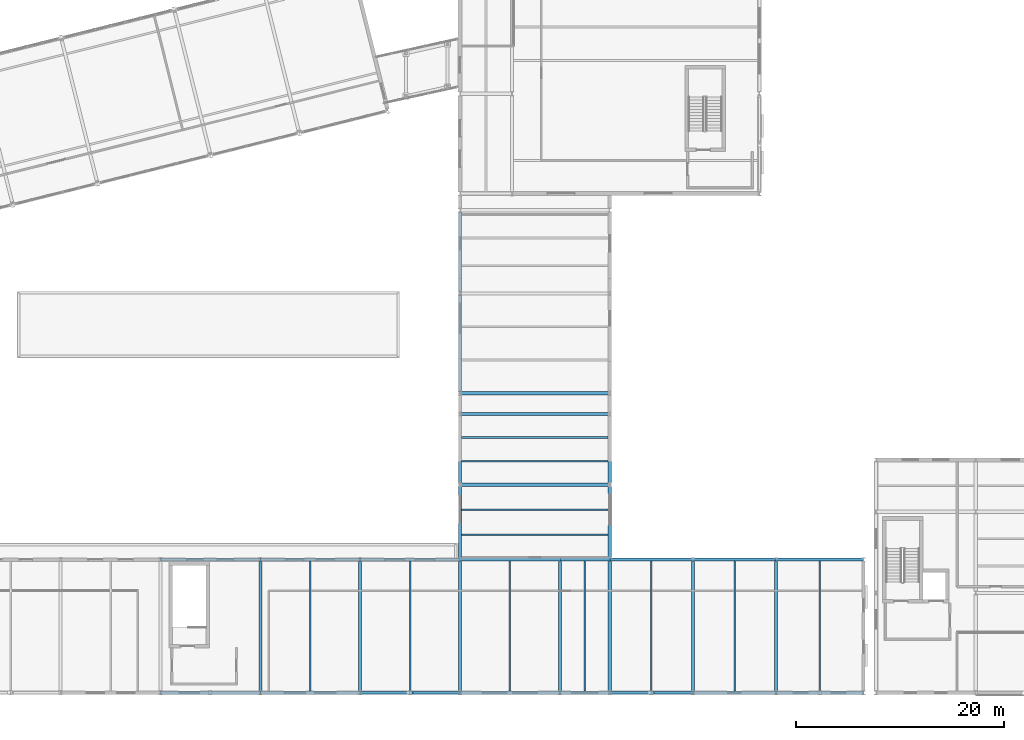
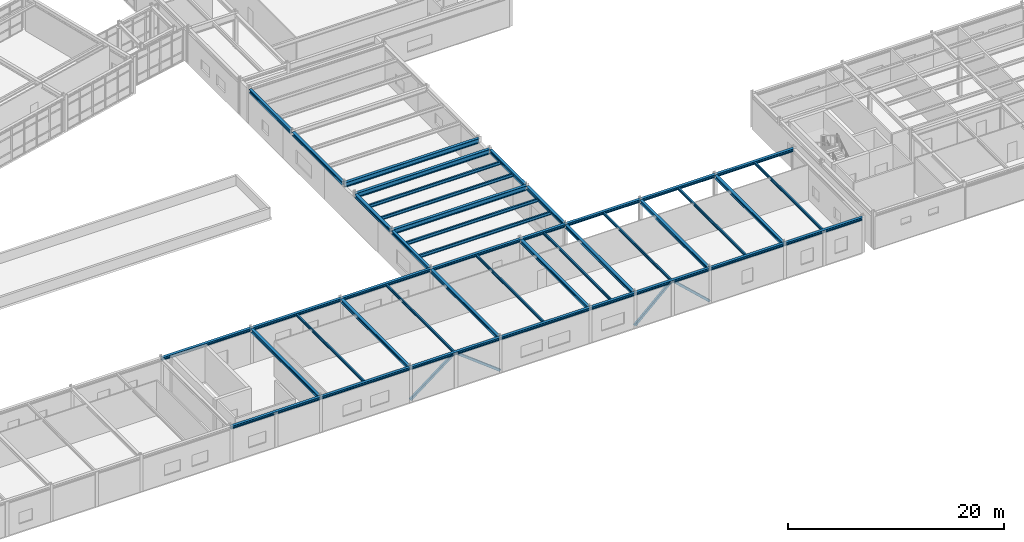
# One storey, part 30 of 99: 43 beams, 4 members.
"""IFC4 building model written with IfcOpenShell, lengths in metres."""

import ifcopenshell
import ifcopenshell.guid

model = None  # the IFC model being written
_history = None  # IfcOwnerHistory: only IFC2X3 demands one
_inside = {}  # id of a spatial element -> (the spatial element, [elements in it])
_under = {}  # id of a project, library or spatial element -> (it, [spatial elements below it])
_declared = {}  # id of a project -> (the project, [libraries it declares])
_typed = {}  # id of a type object -> (the type object, [elements of that type])
_made_of = {}  # id of a material, layer set ... -> (it, [elements and type objects made of it])


def new_model(schema):
    """Start an empty IFC model of exactly this schema.

    Asked for "IFC4X3", IfcOpenShell would pick the latest addendum, in which some entities
    have other attributes; the version numbers below select the first issue.
    IFC2X3 requires an IfcOwnerHistory on every rooted entity: one is made here for all.
    """
    global model, _history
    if schema == "IFC4X3":
        model = ifcopenshell.file(schema_version=(4, 3, 0, 0))
    else:
        model = ifcopenshell.file(schema=schema)
    _inside.clear()
    _under.clear()
    _declared.clear()
    _typed.clear()
    _made_of.clear()
    _history = None
    if model.schema == "IFC2X3":
        org = make("IfcOrganization", Name="unknown")
        user = make(
            "IfcPersonAndOrganization",
            ThePerson=make("IfcPerson", FamilyName="unknown"),
            TheOrganization=org,
        )
        app = make(
            "IfcApplication",
            ApplicationDeveloper=org,
            Version="unknown",
            ApplicationFullName="unknown",
            ApplicationIdentifier="unknown",
        )
        _history = make(
            "IfcOwnerHistory",
            OwningUser=user,
            OwningApplication=app,
            ChangeAction="ADDED",
            CreationDate=0,
        )
    return model


def make(cls, **values):
    """One entity of the class cls with the attributes given. An attribute that is None is left unset."""
    return model.create_entity(
        cls, **{name: value for name, value in values.items() if value is not None}
    )


def rooted(cls, **values):
    """An entity with a GlobalId (a new one), such as an element, a storey or a relation."""
    return make(cls, GlobalId=ifcopenshell.guid.new(), OwnerHistory=_history, **values)


def si_unit(unit_type, name, prefix=None):
    """IfcSIUnit, for example si_unit("LENGTHUNIT", "METRE", prefix="MILLI")."""
    return make("IfcSIUnit", UnitType=unit_type, Prefix=prefix, Name=name)


def assignment(units):
    """IfcUnitAssignment: the units of a project."""
    return None if units is None else make("IfcUnitAssignment", Units=units)


def point(xyz):
    """IfcCartesianPoint."""
    return None if xyz is None else make("IfcCartesianPoint", Coordinates=xyz)


def direction(xyz):
    """IfcDirection."""
    return None if xyz is None else make("IfcDirection", DirectionRatios=xyz)


def frame(location, z_axis=None, x_axis=None):
    """IfcAxis2Placement3D, a coordinate frame: its origin and axes. An axis left out is left unset."""
    return make(
        "IfcAxis2Placement3D",
        Location=point(location),
        Axis=direction(z_axis),
        RefDirection=direction(x_axis),
    )


def frame_2d(location, x_axis=None):
    """IfcAxis2Placement2D, a coordinate frame in the plane: its origin and x axis."""
    return make(
        "IfcAxis2Placement2D", Location=point(location), RefDirection=direction(x_axis)
    )


def origin():
    """The frame at (0, 0, 0) with its axes left unset."""
    return frame((0.0, 0.0, 0.0))


def origin_2d():
    """The frame at (0, 0) in the plane with its x axis left unset."""
    return frame_2d((0.0, 0.0))


def place(relative_to, where):
    """IfcLocalPlacement: puts the frame where relative to a parent placement (None: the world)."""
    return make(
        "IfcLocalPlacement", PlacementRelTo=relative_to, RelativePlacement=where
    )


def context(
    kind, dimensions, precision=None, world=None, true_north=None, identifier=None
):
    """IfcGeometricRepresentationContext, for example the 3D "Model" context."""
    return make(
        "IfcGeometricRepresentationContext",
        ContextIdentifier=identifier,
        ContextType=kind,
        CoordinateSpaceDimension=dimensions,
        Precision=precision,
        WorldCoordinateSystem=world,
        TrueNorth=true_north,
    )


def subcontext(parent, identifier, kind, view, scale=None):
    """IfcGeometricRepresentationSubContext, for example "Body" below "Model"."""
    return make(
        "IfcGeometricRepresentationSubContext",
        ContextIdentifier=identifier,
        ContextType=kind,
        ParentContext=parent,
        TargetScale=scale,
        TargetView=view,
    )


def project(units=None, contexts=None):
    """IfcProject with its units and contexts."""
    return rooted(
        "IfcProject",
        Name="project",
        RepresentationContexts=contexts,
        UnitsInContext=assignment(units),
    )


def spatial(cls, under=None, at=None, **own):
    """A site, building, storey or space (cls), placed at a placement, below another one or the project."""
    s = rooted(cls, ObjectPlacement=at, **own)
    if under is not None:
        _under.setdefault(under.id(), (under, []))[1].append(s)
    return s


def profile(cls, at=None, kind="AREA", **sizes):
    """A parametric profile (cls). Its sizes go by their IFC names, for example OverallWidth=200.0."""
    return make(cls, ProfileType=kind, Position=at, **sizes)


def hollow_rectangle(**sizes):
    """IfcRectangleHollowProfileDef."""
    return profile("IfcRectangleHollowProfileDef", **sizes)


def i_section(**sizes):
    """IfcIShapeProfileDef."""
    return profile("IfcIShapeProfileDef", **sizes)


def extrude(swept, where, along, depth):
    """IfcExtrudedAreaSolid: the profile swept, set in the frame where, extruded along a direction by depth."""
    return make(
        "IfcExtrudedAreaSolid",
        SweptArea=swept,
        Position=where,
        ExtrudedDirection=direction(along),
        Depth=depth,
    )


def shape(context_of_items, identifier, shape_type, items):
    """IfcShapeRepresentation: the items that make up one representation, for example the "Body"."""
    return make(
        "IfcShapeRepresentation",
        ContextOfItems=context_of_items,
        RepresentationIdentifier=identifier,
        RepresentationType=shape_type,
        Items=items,
    )


def material(Name=None, Category=None):
    """IfcMaterial."""
    return make("IfcMaterial", Name=Name, Category=Category)


def material_profile(
    of_material, cross_section, Name=None, Category=None, Priority=None
):
    """IfcMaterialProfile: a cross section and its material."""
    return make(
        "IfcMaterialProfile",
        Name=Name,
        Material=of_material,
        Profile=cross_section,
        Priority=Priority,
        Category=Category,
    )


def profile_set(profiles, Name=None, composite=None):
    """IfcMaterialProfileSet."""
    return make(
        "IfcMaterialProfileSet",
        Name=Name,
        MaterialProfiles=profiles,
        CompositeProfile=composite,
    )


def made_of(thing, what):
    """Note that an element or type object is made of a material, layer set ...; save() writes the relation."""
    if what is not None:
        _made_of.setdefault(what.id(), (what, []))[1].append(thing)
    return thing


def type_object(cls, material=None, **own):
    """A type object (cls), such as IfcWallType, which elements share."""
    return made_of(rooted(cls, **own), material)


def element(
    cls,
    number,
    at=None,
    inside=None,
    cuts=None,
    type_object=None,
    material=None,
    context=None,
    identifier="Body",
    shape_type=None,
    held_by="IfcProductDefinitionShape",
    body=None,
    shapes=None,
    **own,
):
    """One element of the class cls, such as IfcWall. Its Tag is "e" and its number.

    at: its placement. inside: the storey or other place that contains it. cuts: it is an
    opening in that element (IfcRelVoidsElement). A single representation is given by context,
    identifier, shape_type and body (its items); several are given by shapes. held_by: the class
    of the entity that holds the representations. save() writes the other relations.
    """
    e = rooted(cls, Tag="e%d" % number, ObjectPlacement=at, **own)
    if body is not None:
        shapes = [shape(context, identifier, shape_type, body)]
    if shapes is not None:
        e.Representation = make(held_by, Representations=shapes)
    if inside is not None:
        _inside.setdefault(inside.id(), (inside, []))[1].append(e)
    if cuts is not None:
        rooted(
            "IfcRelVoidsElement", RelatingBuildingElement=cuts, RelatedOpeningElement=e
        )
    if type_object is not None:
        _typed.setdefault(type_object.id(), (type_object, []))[1].append(e)
    return made_of(e, material)


def aggregate(whole, parts):
    """IfcRelAggregates: a whole, such as a stair, and the parts it consists of."""
    return rooted("IfcRelAggregates", RelatingObject=whole, RelatedObjects=parts)


def save(model, path):
    """Write the relations noted so far, then the file.

    IfcRelAggregates (storeys below a building ...), IfcRelContainedInSpatialStructure (elements
    in a storey), IfcRelDefinesByType, IfcRelAssociatesMaterial and IfcRelDeclares: one each for
    every whole, place, type object, material and project.
    """
    for whole, parts in _under.values():
        aggregate(whole, parts)
    for where, things in _inside.values():
        rooted(
            "IfcRelContainedInSpatialStructure",
            RelatedElements=things,
            RelatingStructure=where,
        )
    for kind, things in _typed.values():
        rooted("IfcRelDefinesByType", RelatedObjects=things, RelatingType=kind)
    for what, things in _made_of.values():
        rooted("IfcRelAssociatesMaterial", RelatedObjects=things, RelatingMaterial=what)
    for by, libraries in _declared.values():
        rooted("IfcRelDeclares", RelatingContext=by, RelatedDefinitions=libraries)
    model.write(path)


model = new_model("IFC4")

# Units and contexts
model_context = context("Model", 3, precision=1e-05, world=origin(), true_north=direction((0.0, 1.0)))
body_context = subcontext(model_context, "Body", "Model", "MODEL_VIEW")
ifc_project = project(units=[si_unit("LENGTHUNIT", "METRE"), si_unit("AREAUNIT", "SQUARE_METRE"), si_unit("VOLUMEUNIT", "CUBIC_METRE"), si_unit("PLANEANGLEUNIT", "RADIAN"), si_unit("MASSUNIT", "GRAM", prefix="KILO")], contexts=[model_context])

# Site, building, storey
site_placement = place(None, origin())
site = spatial("IfcSite", under=ifc_project, at=site_placement, CompositionType="ELEMENT")
building_placement = place(site_placement, origin())
building = spatial("IfcBuilding", under=site, at=building_placement, Name="Nordkorset Police Headquarters", CompositionType="ELEMENT")
storey_placement = place(building_placement, frame((0.0, 0.0, 5.25)))
storey = spatial("IfcBuildingStorey", under=building, at=storey_placement, Name="L01", CompositionType="ELEMENT", Elevation=5.25)

# Beams
ifc_material_1 = material(Name="Steel S355J2", Category="steel")
ifc_material_profile_1 = material_profile(ifc_material_1, i_section(OverallWidth=0.14990234375, OverallDepth=0.300048828125, WebThickness=0.007080078125, FlangeThickness=0.0107421875, FilletRadius=0.014892578125, at=origin_2d()), Name="IPE 300")
ifc_profile_set_1 = profile_set([ifc_material_profile_1], Name="Steel S355J2")
beam_type_1 = type_object("IfcBeamType", Name="Beam_IPE_300", PredefinedType="JOIST", material=ifc_profile_set_1)
for number, where, z_axis, x_axis, name in (
    (1, (72.0, 0.14990234375, 3.81494140625), (0.0, 1.0, 0.0), (-1.0, 0.0, 0.0), "Composite Floor Beam V7S L01 7-0-1"),
    (2, (81.60009765625, 0.14990234375, 3.81494140625), (0.0, 1.0, 0.0), (-1.0, 0.0, 0.0), "Composite Floor Beam V7S L01 8-0-1"),
    (3, (91.199951171875, 0.14990234375, 3.81494140625), (0.0, 1.0, 0.0), (-1.0, 0.0, 0.0), "Composite Floor Beam V7S L01 9-0-1"),
    (4, (98.39990234375, 0.14990234375, 3.81494140625), (0.0, 1.0, 0.0), (-1.0, 0.0, 0.0), "Composite Floor Beam V7S L01 10-0-1"),
    (5, (104.800048828125, 0.14990234375, 3.81494140625), (0.0, 1.0, 0.0), (-1.0, 0.0, 0.0), "Composite Floor Beam V7S L01 11-0-1"),
    (6, (112.800048828125, 0.14990234375, 3.81494140625), (0.0, 1.0, 0.0), (-1.0, 0.0, 0.0), "Composite Floor Beam V7S L01 12-0-1"),
    (7, (121.0, 0.14990234375, 3.81494140625), (0.0, 1.0, 0.0), (-1.0, 0.0, 0.0), "Composite Floor Beam V7S L01 13-0-1"),
):
    element("IfcBeam", number, at=place(storey_placement, frame(where, z_axis=z_axis, x_axis=x_axis)), inside=storey, type_object=beam_type_1, Name=name, PredefinedType="JOIST", context=body_context, shape_type="SweptSolid", body=[
        extrude(i_section(OverallWidth=0.14990234375, OverallDepth=0.300048828125, WebThickness=0.007080078125, FlangeThickness=0.0107421875, FilletRadius=0.014892578125, at=origin_2d()), origin(), (0.0, 0.0, 1.0), 12.5),
    ])
ifc_material_2 = material(Name="Steel S355J2", Category="steel")
ifc_material_profile_2 = material_profile(ifc_material_2, i_section(OverallWidth=0.169921875, OverallDepth=0.360107421875, WebThickness=0.008056640625, FlangeThickness=0.0126953125, FilletRadius=0.01806640625, at=origin_2d()), Name="IPE 360")
ifc_profile_set_2 = profile_set([ifc_material_profile_2], Name="Steel S355J2")
beam_type_2 = type_object("IfcBeamType", Name="Beam_IPE_360", PredefinedType="BEAM", material=ifc_profile_set_2)
for number, where, z_axis, x_axis, name in (
    (8, (86.550048828125, 15.199951171875, 3.784912109375), (1.0, 0.0, 0.0), (0.0, 1.0, 0.0), "Composite Floor Beam V7ES L01 0-0-1"),
    (9, (86.550048828125, 17.60009765625, 3.784912109375), (1.0, 0.0, 0.0), (0.0, 1.0, 0.0), "Composite Floor Beam V7ES L01 0-0-2"),
    (10, (86.550048828125, 22.2666015625, 3.784912109375), (1.0, 0.0, 0.0), (0.0, 1.0, 0.0), "Composite Floor Beam V7ES L01 0-1-1"),
    (11, (86.550048828125, 24.533447265625, 3.784912109375), (1.0, 0.0, 0.0), (0.0, 1.0, 0.0), "Composite Floor Beam V7ES L01 0-1-2"),
):
    element("IfcBeam", number, at=place(storey_placement, frame(where, z_axis=z_axis, x_axis=x_axis)), inside=storey, type_object=beam_type_2, Name=name, PredefinedType="BEAM", context=body_context, shape_type="SweptSolid", body=[
        extrude(i_section(OverallWidth=0.169921875, OverallDepth=0.360107421875, WebThickness=0.008056640625, FlangeThickness=0.0126953125, FilletRadius=0.01806640625, at=origin_2d()), origin(), (0.0, 0.0, 1.0), 14.099853515625),
    ])

# Members
ifc_material_3 = material(Name="Steel S355J2", Category="steel")
ifc_material_profile_3 = material_profile(ifc_material_3, hollow_rectangle(XDim=0.25, YDim=0.25, WallThickness=0.012451171875, InnerFilletRadius=0.012451171875, OuterFilletRadius=0.02490234375, at=origin_2d()), Name="SHS 250x250x12.5")
ifc_profile_set_3 = profile_set([ifc_material_profile_3], Name="Steel S355J2")
member_type = type_object("IfcMemberType", Name="Brace_SHS_250x250x12.5", PredefinedType="BRACE", material=ifc_profile_set_3)
for number, where, z_axis, x_axis, name in (
    (12, (76.805908203125, 0.0, 0.199951171875), (0.793388064902, 0.0, 0.608716172342), (0.0, 1.0, 0.0), "Lateral Chevron Brace BF-EXT-V7S8 L01 D1"),
    (13, (86.39404296875, 0.0, 0.199951171875), (-0.793388064902, 0.0, 0.608716172342), (0.0, -1.0, 0.0), "Lateral Chevron Brace BF-EXT-V7S8 L01 D2"),
):
    element("IfcMember", number, at=place(storey_placement, frame(where, z_axis=z_axis, x_axis=x_axis)), inside=storey, type_object=member_type, Name=name, PredefinedType="BRACE", context=body_context, shape_type="SweptSolid", body=[
        extrude(hollow_rectangle(XDim=0.25, YDim=0.25, WallThickness=0.012451171875, InnerFilletRadius=0.012451171875, OuterFilletRadius=0.02490234375, at=origin_2d()), origin(), (0.0, 0.0, 1.0), 5.815673828125),
    ])
member_1_placement = place(storey_placement, frame((100.805908203125, 0.0, 0.199951171875), z_axis=(0.732958894867, 0.0, 0.680272929371), x_axis=(0.0, 1.0, 0.0)))
element("IfcMember", 14, at=member_1_placement, inside=storey, type_object=member_type, Name="Lateral Chevron Brace BF-EXT-V7S11 L01 D1", PredefinedType="BRACE", context=body_context, shape_type="SweptSolid", body=[
    extrude(hollow_rectangle(XDim=0.25, YDim=0.25, WallThickness=0.012451171875, InnerFilletRadius=0.012451171875, OuterFilletRadius=0.02490234375, at=origin_2d()), origin(), (0.0, 0.0, 1.0), 5.203857421875),
])
member_2_placement = place(storey_placement, frame((108.7939453125, 0.0, 0.199951171875), z_axis=(-0.73293718266, 0.0, 0.680296322402), x_axis=(0.0, -1.0, 0.0)))
element("IfcMember", 15, at=member_2_placement, inside=storey, type_object=member_type, Name="Lateral Chevron Brace BF-EXT-V7S11 L01 D2", PredefinedType="BRACE", context=body_context, shape_type="SweptSolid", body=[
    extrude(hollow_rectangle(XDim=0.25, YDim=0.25, WallThickness=0.012451171875, InnerFilletRadius=0.012451171875, OuterFilletRadius=0.02490234375, at=origin_2d()), origin(), (0.0, 0.0, 1.0), 5.20361328125),
])

# Beams
ifc_material_4 = material(Name="Steel S355J2", Category="steel")
ifc_material_profile_4 = material_profile(ifc_material_4, i_section(OverallWidth=0.300048828125, OverallDepth=0.389892578125, WebThickness=0.010986328125, FlangeThickness=0.01904296875, FilletRadius=0.027099609375, at=origin_2d()), Name="HEA 400")
ifc_profile_set_4 = profile_set([ifc_material_profile_4], Name="Steel S355J2")
beam_type_3 = type_object("IfcBeamType", Name="Girder_HEA_400", PredefinedType="USERDEFINED", material=ifc_profile_set_4)
for number, where, z_axis, x_axis, name in (
    (16, (67.199951171875, 0.169921875, 3.77001953125), (0.0, 1.0, 0.0), (-1.0, 0.0, 0.0), "Girder V7S L01 GY-7-0"),
    (17, (76.800048828125, 0.169921875, 3.77001953125), (0.0, 1.0, 0.0), (-1.0, 0.0, 0.0), "Girder V7S L01 GY-8-0"),
    (18, (86.39990234375, 0.169921875, 3.77001953125), (0.0, 1.0, 0.0), (-1.0, 0.0, 0.0), "Girder V7S L01 GY-9-0"),
    (19, (96.0, 0.169921875, 3.77001953125), (0.0, 1.0, 0.0), (-1.0, 0.0, 0.0), "Girder V7S L01 GY-10-0"),
    (20, (100.800048828125, 0.169921875, 3.77001953125), (0.0, 1.0, 0.0), (-1.0, 0.0, 0.0), "Girder V7S L01 GY-11-0"),
    (21, (108.800048828125, 0.169921875, 3.77001953125), (0.0, 1.0, 0.0), (-1.0, 0.0, 0.0), "Girder V7S L01 GY-12-0"),
    (22, (116.800048828125, 0.169921875, 3.77001953125), (0.0, 1.0, 0.0), (-1.0, 0.0, 0.0), "Girder V7S L01 GY-13-0"),
):
    element("IfcBeam", number, at=place(storey_placement, frame(where, z_axis=z_axis, x_axis=x_axis)), inside=storey, type_object=beam_type_3, Name=name, ObjectType="GIRDER", PredefinedType="USERDEFINED", context=body_context, shape_type="SweptSolid", body=[
        extrude(i_section(OverallWidth=0.300048828125, OverallDepth=0.389892578125, WebThickness=0.010986328125, FlangeThickness=0.01904296875, FilletRadius=0.027099609375, at=origin_2d()), origin(), (0.0, 0.0, 1.0), 12.4599609375),
    ])
beam_1_placement = place(storey_placement, frame((86.39990234375, 12.969970703125, 3.77001953125), z_axis=(0.0, 1.0, 0.0), x_axis=(-1.0, 0.0, 0.0)))
element("IfcBeam", 23, at=beam_1_placement, inside=storey, type_object=beam_type_3, Name="Girder V7ES L01 GY-0-0", ObjectType="GIRDER", PredefinedType="USERDEFINED", context=body_context, shape_type="SweptSolid", body=[
    extrude(i_section(OverallWidth=0.300048828125, OverallDepth=0.389892578125, WebThickness=0.010986328125, FlangeThickness=0.01904296875, FilletRadius=0.027099609375, at=origin_2d()), origin(), (0.0, 0.0, 1.0), 6.860107421875),
])
beam_2_placement = place(storey_placement, frame((86.39990234375, 20.169921875, 3.77001953125), z_axis=(0.0, 1.0, 0.0), x_axis=(-1.0, 0.0, 0.0)))
element("IfcBeam", 24, at=beam_2_placement, inside=storey, type_object=beam_type_3, Name="Girder V7ES L01 GY-0-1", ObjectType="GIRDER", PredefinedType="USERDEFINED", context=body_context, shape_type="SweptSolid", body=[
    extrude(i_section(OverallWidth=0.300048828125, OverallDepth=0.389892578125, WebThickness=0.010986328125, FlangeThickness=0.01904296875, FilletRadius=0.027099609375, at=origin_2d()), origin(), (0.0, 0.0, 1.0), 6.4599609375),
])
beam_3_placement = place(storey_placement, frame((100.800048828125, 12.969970703125, 3.77001953125), z_axis=(0.0, 1.0, 0.0), x_axis=(-1.0, 0.0, 0.0)))
element("IfcBeam", 25, at=beam_3_placement, inside=storey, type_object=beam_type_3, Name="Girder V7ES L01 GY-1-0", ObjectType="GIRDER", PredefinedType="USERDEFINED", context=body_context, shape_type="SweptSolid", body=[
    extrude(i_section(OverallWidth=0.300048828125, OverallDepth=0.389892578125, WebThickness=0.010986328125, FlangeThickness=0.01904296875, FilletRadius=0.027099609375, at=origin_2d()), origin(), (0.0, 0.0, 1.0), 6.860107421875),
])
beam_4_placement = place(storey_placement, frame((100.800048828125, 20.169921875, 3.77001953125), z_axis=(0.0, 1.0, 0.0), x_axis=(-1.0, 0.0, 0.0)))
element("IfcBeam", 26, at=beam_4_placement, inside=storey, type_object=beam_type_3, Name="Girder V7ES L01 GY-1-1", ObjectType="GIRDER", PredefinedType="USERDEFINED", context=body_context, shape_type="SweptSolid", body=[
    extrude(i_section(OverallWidth=0.300048828125, OverallDepth=0.389892578125, WebThickness=0.010986328125, FlangeThickness=0.01904296875, FilletRadius=0.027099609375, at=origin_2d()), origin(), (0.0, 0.0, 1.0), 6.4599609375),
])
beam_5_placement = place(storey_placement, frame((86.39990234375, 28.969970703125, 3.77001953125), z_axis=(0.0, 1.0, 0.0), x_axis=(-1.0, 0.0, 0.0)))
element("IfcBeam", 27, at=beam_5_placement, inside=storey, type_object=beam_type_3, Name="Girder V7EN L01 GY-0-0", ObjectType="GIRDER", PredefinedType="USERDEFINED", context=body_context, shape_type="SweptSolid", body=[
    extrude(i_section(OverallWidth=0.300048828125, OverallDepth=0.389892578125, WebThickness=0.010986328125, FlangeThickness=0.01904296875, FilletRadius=0.027099609375, at=origin_2d()), origin(), (0.0, 0.0, 1.0), 9.260009765625),
])
beam_6_placement = place(storey_placement, frame((86.39990234375, 38.570068359375, 3.77001953125), z_axis=(0.0, 1.0, 0.0), x_axis=(-1.0, 0.0, 0.0)))
element("IfcBeam", 28, at=beam_6_placement, inside=storey, type_object=beam_type_3, Name="Girder V7EN L01 GY-0-1", ObjectType="GIRDER", PredefinedType="USERDEFINED", context=body_context, shape_type="SweptSolid", body=[
    extrude(i_section(OverallWidth=0.300048828125, OverallDepth=0.389892578125, WebThickness=0.010986328125, FlangeThickness=0.01904296875, FilletRadius=0.027099609375, at=origin_2d()), origin(), (0.0, 0.0, 1.0), 7.659912109375),
])
ifc_material_5 = material(Name="Steel S355J2", Category="steel")
ifc_material_profile_5 = material_profile(ifc_material_5, i_section(OverallWidth=0.300048828125, OverallDepth=0.5400390625, WebThickness=0.012451171875, FlangeThickness=0.02392578125, FilletRadius=0.027099609375, at=origin_2d()), Name="HEA 550")
ifc_profile_set_5 = profile_set([ifc_material_profile_5], Name="Steel S355J2")
beam_type_4 = type_object("IfcBeamType", Name="Girder_HEA_550", PredefinedType="USERDEFINED", material=ifc_profile_set_5)
for number, where, z_axis, x_axis, name in (
    (29, (86.406005859375, 20.0, 3.695068359375), (1.0, 0.0, 0.0), (0.0, 1.0, 0.0), "Girder V7ES L01 GX-1-0"),
    (30, (86.406005859375, 26.800048828125, 3.695068359375), (1.0, 0.0, 0.0), (0.0, 1.0, 0.0), "Girder V7ES L01 GX-2-0"),
    (31, (86.406005859375, 28.800048828125, 3.695068359375), (1.0, 0.0, 0.0), (0.0, 1.0, 0.0), "Girder V7EN L01 GX-0-0"),
):
    element("IfcBeam", number, at=place(storey_placement, frame(where, z_axis=z_axis, x_axis=x_axis)), inside=storey, type_object=beam_type_4, Name=name, ObjectType="GIRDER", PredefinedType="USERDEFINED", context=body_context, shape_type="SweptSolid", body=[
        extrude(i_section(OverallWidth=0.300048828125, OverallDepth=0.5400390625, WebThickness=0.012451171875, FlangeThickness=0.02392578125, FilletRadius=0.027099609375, at=origin_2d()), origin(), (0.0, 0.0, 1.0), 14.387939453125),
    ])
ifc_material_6 = material(Name="Steel S355J2", Category="steel")
ifc_material_profile_6 = material_profile(ifc_material_6, i_section(OverallWidth=0.300048828125, OverallDepth=0.31005859375, WebThickness=0.009033203125, FlangeThickness=0.015380859375, FilletRadius=0.027099609375, at=origin_2d()), Name="HEA 320")
ifc_profile_set_6 = profile_set([ifc_material_profile_6], Name="Steel S355J2")
beam_type_5 = type_object("IfcBeamType", Name="Spandrel_HEA_320", PredefinedType="SPANDREL", material=ifc_profile_set_6)
beam_7_placement = place(storey_placement, frame((57.60595703125, 0.0, 3.81005859375), z_axis=(1.0, 0.0, 0.0), x_axis=(0.0, 1.0, 0.0)))
element("IfcBeam", 32, at=beam_7_placement, inside=storey, type_object=beam_type_5, Name="Girder V7S L01 GX-0-6", PredefinedType="SPANDREL", context=body_context, shape_type="SweptSolid", body=[
    extrude(i_section(OverallWidth=0.300048828125, OverallDepth=0.31005859375, WebThickness=0.009033203125, FlangeThickness=0.015380859375, FilletRadius=0.027099609375, at=origin_2d()), origin(), (0.0, 0.0, 1.0), 9.588134765625),
])
beam_8_placement = place(storey_placement, frame((67.2060546875, 0.0, 3.81005859375), z_axis=(1.0, 0.0, 0.0), x_axis=(0.0, 1.0, 0.0)))
element("IfcBeam", 33, at=beam_8_placement, inside=storey, type_object=beam_type_5, Name="Girder V7S L01 GX-0-7", PredefinedType="SPANDREL", context=body_context, shape_type="SweptSolid", body=[
    extrude(i_section(OverallWidth=0.300048828125, OverallDepth=0.31005859375, WebThickness=0.009033203125, FlangeThickness=0.015380859375, FilletRadius=0.027099609375, at=origin_2d()), origin(), (0.0, 0.0, 1.0), 9.587890625),
])
beam_9_placement = place(storey_placement, frame((76.805908203125, 0.0, 3.81005859375), z_axis=(1.0, 0.0, 0.0), x_axis=(0.0, 1.0, 0.0)))
element("IfcBeam", 34, at=beam_9_placement, inside=storey, type_object=beam_type_5, Name="Girder V7S L01 GX-0-8", PredefinedType="SPANDREL", context=body_context, shape_type="SweptSolid", body=[
    extrude(i_section(OverallWidth=0.300048828125, OverallDepth=0.31005859375, WebThickness=0.009033203125, FlangeThickness=0.015380859375, FilletRadius=0.027099609375, at=origin_2d()), origin(), (0.0, 0.0, 1.0), 9.588134765625),
])
beam_10_placement = place(storey_placement, frame((86.406005859375, 0.0, 3.81005859375), z_axis=(1.0, 0.0, 0.0), x_axis=(0.0, 1.0, 0.0)))
element("IfcBeam", 35, at=beam_10_placement, inside=storey, type_object=beam_type_5, Name="Girder V7S L01 GX-0-9", PredefinedType="SPANDREL", context=body_context, shape_type="SweptSolid", body=[
    extrude(i_section(OverallWidth=0.300048828125, OverallDepth=0.31005859375, WebThickness=0.009033203125, FlangeThickness=0.015380859375, FilletRadius=0.027099609375, at=origin_2d()), origin(), (0.0, 0.0, 1.0), 9.587890625),
])
beam_11_placement = place(storey_placement, frame((96.006103515625, 0.0, 3.81005859375), z_axis=(1.0, 0.0, 0.0), x_axis=(0.0, 1.0, 0.0)))
element("IfcBeam", 36, at=beam_11_placement, inside=storey, type_object=beam_type_5, Name="Girder V7S L01 GX-0-10", PredefinedType="SPANDREL", context=body_context, shape_type="SweptSolid", body=[
    extrude(i_section(OverallWidth=0.300048828125, OverallDepth=0.31005859375, WebThickness=0.009033203125, FlangeThickness=0.015380859375, FilletRadius=0.027099609375, at=origin_2d()), origin(), (0.0, 0.0, 1.0), 4.787841796875),
])
for number, where, z_axis, x_axis, name in (
    (37, (100.805908203125, 0.0, 3.81005859375), (1.0, 0.0, 0.0), (0.0, 1.0, 0.0), "Girder V7S L01 GX-0-11"),
    (38, (108.805908203125, 0.0, 3.81005859375), (1.0, 0.0, 0.0), (0.0, 1.0, 0.0), "Girder V7S L01 GX-0-12"),
):
    element("IfcBeam", number, at=place(storey_placement, frame(where, z_axis=z_axis, x_axis=x_axis)), inside=storey, type_object=beam_type_5, Name=name, PredefinedType="SPANDREL", context=body_context, shape_type="SweptSolid", body=[
        extrude(i_section(OverallWidth=0.300048828125, OverallDepth=0.31005859375, WebThickness=0.009033203125, FlangeThickness=0.015380859375, FilletRadius=0.027099609375, at=origin_2d()), origin(), (0.0, 0.0, 1.0), 7.988037109375),
    ])
beam_12_placement = place(storey_placement, frame((116.805908203125, 0.0, 3.81005859375), z_axis=(1.0, 0.0, 0.0), x_axis=(0.0, 1.0, 0.0)))
element("IfcBeam", 39, at=beam_12_placement, inside=storey, type_object=beam_type_5, Name="Girder V7S L01 GX-0-13", PredefinedType="SPANDREL", context=body_context, shape_type="SweptSolid", body=[
    extrude(i_section(OverallWidth=0.300048828125, OverallDepth=0.31005859375, WebThickness=0.009033203125, FlangeThickness=0.015380859375, FilletRadius=0.027099609375, at=origin_2d()), origin(), (0.0, 0.0, 1.0), 8.38818359375),
])
beam_13_placement = place(storey_placement, frame((57.60595703125, 12.800048828125, 3.81005859375), z_axis=(1.0, 0.0, 0.0), x_axis=(0.0, 1.0, 0.0)))
element("IfcBeam", 40, at=beam_13_placement, inside=storey, type_object=beam_type_5, Name="Girder V7S L01 GX-1-6", PredefinedType="SPANDREL", context=body_context, shape_type="SweptSolid", body=[
    extrude(i_section(OverallWidth=0.300048828125, OverallDepth=0.31005859375, WebThickness=0.009033203125, FlangeThickness=0.015380859375, FilletRadius=0.027099609375, at=origin_2d()), origin(), (0.0, 0.0, 1.0), 9.588134765625),
])
beam_14_placement = place(storey_placement, frame((67.2060546875, 12.800048828125, 3.81005859375), z_axis=(1.0, 0.0, 0.0), x_axis=(0.0, 1.0, 0.0)))
element("IfcBeam", 41, at=beam_14_placement, inside=storey, type_object=beam_type_5, Name="Girder V7S L01 GX-1-7", PredefinedType="SPANDREL", context=body_context, shape_type="SweptSolid", body=[
    extrude(i_section(OverallWidth=0.300048828125, OverallDepth=0.31005859375, WebThickness=0.009033203125, FlangeThickness=0.015380859375, FilletRadius=0.027099609375, at=origin_2d()), origin(), (0.0, 0.0, 1.0), 9.587890625),
])
beam_15_placement = place(storey_placement, frame((76.805908203125, 12.800048828125, 3.81005859375), z_axis=(1.0, 0.0, 0.0), x_axis=(0.0, 1.0, 0.0)))
element("IfcBeam", 42, at=beam_15_placement, inside=storey, type_object=beam_type_5, Name="Girder V7S L01 GX-1-8", PredefinedType="SPANDREL", context=body_context, shape_type="SweptSolid", body=[
    extrude(i_section(OverallWidth=0.300048828125, OverallDepth=0.31005859375, WebThickness=0.009033203125, FlangeThickness=0.015380859375, FilletRadius=0.027099609375, at=origin_2d()), origin(), (0.0, 0.0, 1.0), 9.588134765625),
])
beam_16_placement = place(storey_placement, frame((86.406005859375, 12.800048828125, 3.81005859375), z_axis=(1.0, 0.0, 0.0), x_axis=(0.0, 1.0, 0.0)))
element("IfcBeam", 43, at=beam_16_placement, inside=storey, type_object=beam_type_5, Name="Girder V7S L01 GX-1-9", PredefinedType="SPANDREL", context=body_context, shape_type="SweptSolid", body=[
    extrude(i_section(OverallWidth=0.300048828125, OverallDepth=0.31005859375, WebThickness=0.009033203125, FlangeThickness=0.015380859375, FilletRadius=0.027099609375, at=origin_2d()), origin(), (0.0, 0.0, 1.0), 9.587890625),
])
beam_17_placement = place(storey_placement, frame((96.006103515625, 12.800048828125, 3.81005859375), z_axis=(1.0, 0.0, 0.0), x_axis=(0.0, 1.0, 0.0)))
element("IfcBeam", 44, at=beam_17_placement, inside=storey, type_object=beam_type_5, Name="Girder V7S L01 GX-1-10", PredefinedType="SPANDREL", context=body_context, shape_type="SweptSolid", body=[
    extrude(i_section(OverallWidth=0.300048828125, OverallDepth=0.31005859375, WebThickness=0.009033203125, FlangeThickness=0.015380859375, FilletRadius=0.027099609375, at=origin_2d()), origin(), (0.0, 0.0, 1.0), 4.787841796875),
])
for number, where, z_axis, x_axis, name in (
    (45, (100.805908203125, 12.800048828125, 3.81005859375), (1.0, 0.0, 0.0), (0.0, 1.0, 0.0), "Girder V7S L01 GX-1-11"),
    (46, (108.805908203125, 12.800048828125, 3.81005859375), (1.0, 0.0, 0.0), (0.0, 1.0, 0.0), "Girder V7S L01 GX-1-12"),
):
    element("IfcBeam", number, at=place(storey_placement, frame(where, z_axis=z_axis, x_axis=x_axis)), inside=storey, type_object=beam_type_5, Name=name, PredefinedType="SPANDREL", context=body_context, shape_type="SweptSolid", body=[
        extrude(i_section(OverallWidth=0.300048828125, OverallDepth=0.31005859375, WebThickness=0.009033203125, FlangeThickness=0.015380859375, FilletRadius=0.027099609375, at=origin_2d()), origin(), (0.0, 0.0, 1.0), 7.988037109375),
    ])
beam_18_placement = place(storey_placement, frame((116.805908203125, 12.800048828125, 3.81005859375), z_axis=(1.0, 0.0, 0.0), x_axis=(0.0, 1.0, 0.0)))
element("IfcBeam", 47, at=beam_18_placement, inside=storey, type_object=beam_type_5, Name="Girder V7S L01 GX-1-13", PredefinedType="SPANDREL", context=body_context, shape_type="SweptSolid", body=[
    extrude(i_section(OverallWidth=0.300048828125, OverallDepth=0.31005859375, WebThickness=0.009033203125, FlangeThickness=0.015380859375, FilletRadius=0.027099609375, at=origin_2d()), origin(), (0.0, 0.0, 1.0), 8.38818359375),
])

save(model, "model.ifc")
